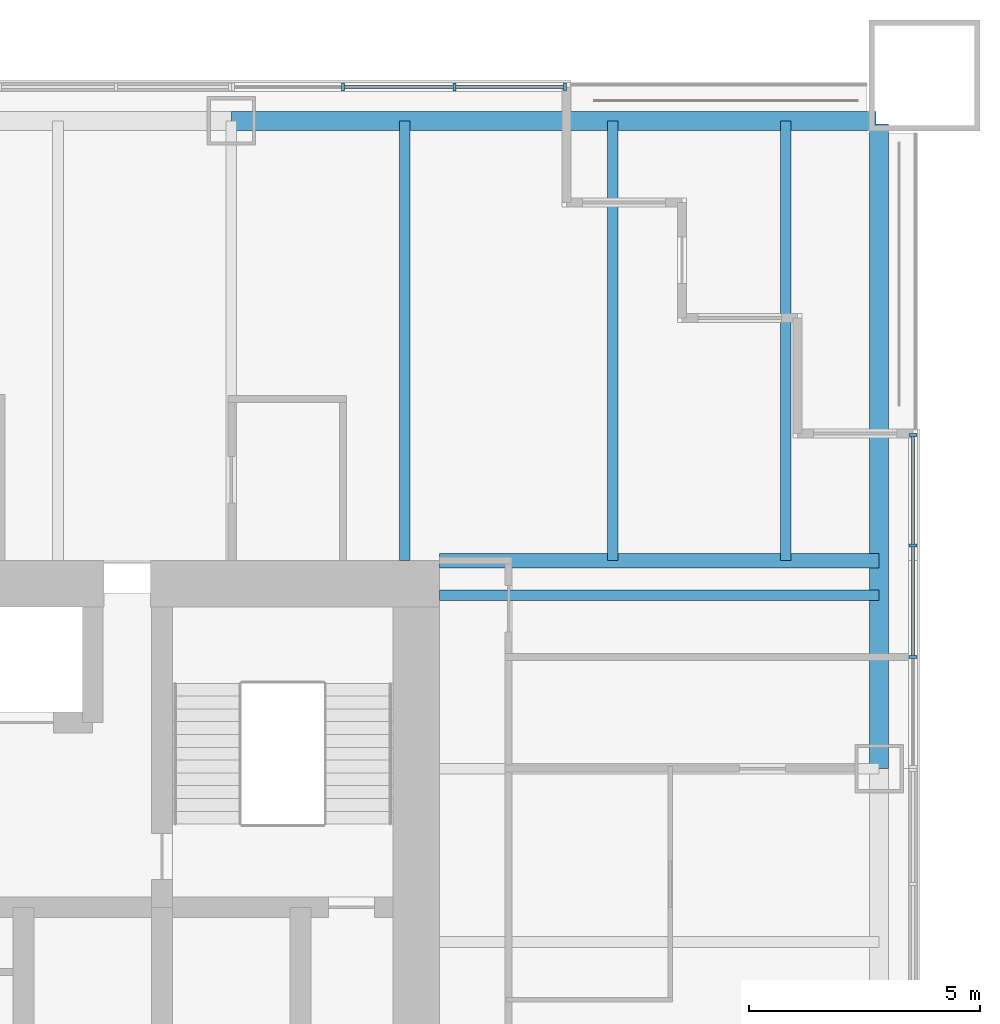
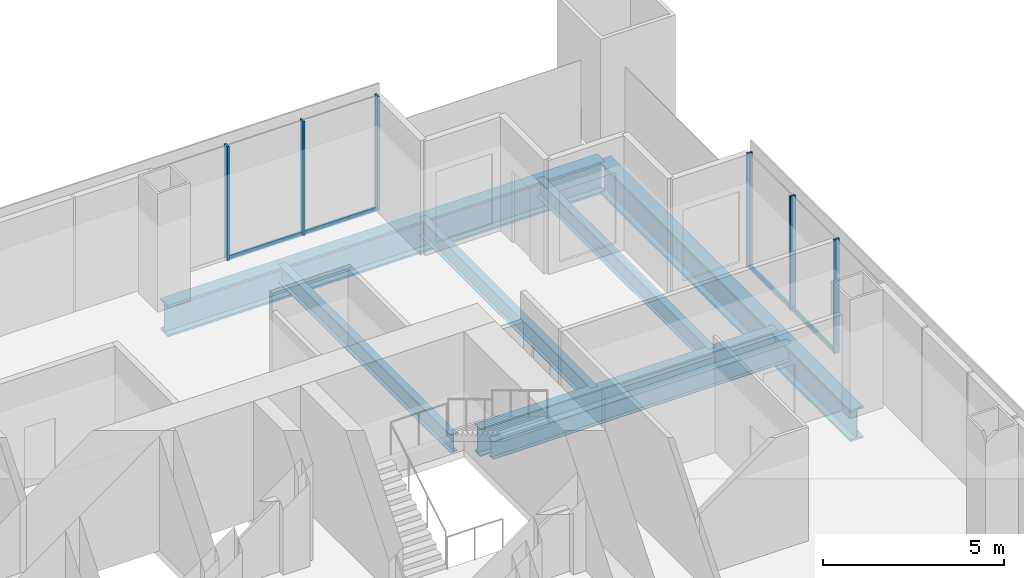
# One storey, part 6 of 13: 10 members, 7 beams, 2 elements without a shape of their own.
"""IFC4 building model written with IfcOpenShell, lengths in metres."""

import ifcopenshell
import ifcopenshell.guid

model = None  # the IFC model being written
_history = None  # IfcOwnerHistory: only IFC2X3 demands one
_inside = {}  # id of a spatial element -> (the spatial element, [elements in it])
_under = {}  # id of a project, library or spatial element -> (it, [spatial elements below it])
_declared = {}  # id of a project -> (the project, [libraries it declares])
_typed = {}  # id of a type object -> (the type object, [elements of that type])
_made_of = {}  # id of a material, layer set ... -> (it, [elements and type objects made of it])


def new_model(schema):
    """Start an empty IFC model of exactly this schema.

    Asked for "IFC4X3", IfcOpenShell would pick the latest addendum, in which some entities
    have other attributes; the version numbers below select the first issue.
    IFC2X3 requires an IfcOwnerHistory on every rooted entity: one is made here for all.
    """
    global model, _history
    if schema == "IFC4X3":
        model = ifcopenshell.file(schema_version=(4, 3, 0, 0))
    else:
        model = ifcopenshell.file(schema=schema)
    _inside.clear()
    _under.clear()
    _declared.clear()
    _typed.clear()
    _made_of.clear()
    _history = None
    if model.schema == "IFC2X3":
        org = make("IfcOrganization", Name="unknown")
        user = make(
            "IfcPersonAndOrganization",
            ThePerson=make("IfcPerson", FamilyName="unknown"),
            TheOrganization=org,
        )
        app = make(
            "IfcApplication",
            ApplicationDeveloper=org,
            Version="unknown",
            ApplicationFullName="unknown",
            ApplicationIdentifier="unknown",
        )
        _history = make(
            "IfcOwnerHistory",
            OwningUser=user,
            OwningApplication=app,
            ChangeAction="ADDED",
            CreationDate=0,
        )
    return model


def make(cls, **values):
    """One entity of the class cls with the attributes given. An attribute that is None is left unset."""
    return model.create_entity(
        cls, **{name: value for name, value in values.items() if value is not None}
    )


def rooted(cls, **values):
    """An entity with a GlobalId (a new one), such as an element, a storey or a relation."""
    return make(cls, GlobalId=ifcopenshell.guid.new(), OwnerHistory=_history, **values)


def si_unit(unit_type, name, prefix=None):
    """IfcSIUnit, for example si_unit("LENGTHUNIT", "METRE", prefix="MILLI")."""
    return make("IfcSIUnit", UnitType=unit_type, Prefix=prefix, Name=name)


def assignment(units):
    """IfcUnitAssignment: the units of a project."""
    return None if units is None else make("IfcUnitAssignment", Units=units)


def point(xyz):
    """IfcCartesianPoint."""
    return None if xyz is None else make("IfcCartesianPoint", Coordinates=xyz)


def direction(xyz):
    """IfcDirection."""
    return None if xyz is None else make("IfcDirection", DirectionRatios=xyz)


def frame(location, z_axis=None, x_axis=None):
    """IfcAxis2Placement3D, a coordinate frame: its origin and axes. An axis left out is left unset."""
    return make(
        "IfcAxis2Placement3D",
        Location=point(location),
        Axis=direction(z_axis),
        RefDirection=direction(x_axis),
    )


def frame_2d(location, x_axis=None):
    """IfcAxis2Placement2D, a coordinate frame in the plane: its origin and x axis."""
    return make(
        "IfcAxis2Placement2D", Location=point(location), RefDirection=direction(x_axis)
    )


def origin():
    """The frame at (0, 0, 0) with its axes left unset."""
    return frame((0.0, 0.0, 0.0))


def origin_2d():
    """The frame at (0, 0) in the plane with its x axis left unset."""
    return frame_2d((0.0, 0.0))


def place(relative_to, where):
    """IfcLocalPlacement: puts the frame where relative to a parent placement (None: the world)."""
    return make(
        "IfcLocalPlacement", PlacementRelTo=relative_to, RelativePlacement=where
    )


def context(
    kind, dimensions, precision=None, world=None, true_north=None, identifier=None
):
    """IfcGeometricRepresentationContext, for example the 3D "Model" context."""
    return make(
        "IfcGeometricRepresentationContext",
        ContextIdentifier=identifier,
        ContextType=kind,
        CoordinateSpaceDimension=dimensions,
        Precision=precision,
        WorldCoordinateSystem=world,
        TrueNorth=true_north,
    )


def subcontext(parent, identifier, kind, view, scale=None):
    """IfcGeometricRepresentationSubContext, for example "Body" below "Model"."""
    return make(
        "IfcGeometricRepresentationSubContext",
        ContextIdentifier=identifier,
        ContextType=kind,
        ParentContext=parent,
        TargetScale=scale,
        TargetView=view,
    )


def project(units=None, contexts=None):
    """IfcProject with its units and contexts."""
    return rooted(
        "IfcProject",
        Name="project",
        RepresentationContexts=contexts,
        UnitsInContext=assignment(units),
    )


def spatial(cls, under=None, at=None, **own):
    """A site, building, storey or space (cls), placed at a placement, below another one or the project."""
    s = rooted(cls, ObjectPlacement=at, **own)
    if under is not None:
        _under.setdefault(under.id(), (under, []))[1].append(s)
    return s


def profile(cls, at=None, kind="AREA", **sizes):
    """A parametric profile (cls). Its sizes go by their IFC names, for example OverallWidth=200.0."""
    return make(cls, ProfileType=kind, Position=at, **sizes)


def rectangle(**sizes):
    """IfcRectangleProfileDef."""
    return profile("IfcRectangleProfileDef", **sizes)


def i_section(**sizes):
    """IfcIShapeProfileDef."""
    return profile("IfcIShapeProfileDef", **sizes)


def extrude(swept, where, along, depth):
    """IfcExtrudedAreaSolid: the profile swept, set in the frame where, extruded along a direction by depth."""
    return make(
        "IfcExtrudedAreaSolid",
        SweptArea=swept,
        Position=where,
        ExtrudedDirection=direction(along),
        Depth=depth,
    )


def shape(context_of_items, identifier, shape_type, items):
    """IfcShapeRepresentation: the items that make up one representation, for example the "Body"."""
    return make(
        "IfcShapeRepresentation",
        ContextOfItems=context_of_items,
        RepresentationIdentifier=identifier,
        RepresentationType=shape_type,
        Items=items,
    )


def material(Name=None, Category=None):
    """IfcMaterial."""
    return make("IfcMaterial", Name=Name, Category=Category)


def material_profile(
    of_material, cross_section, Name=None, Category=None, Priority=None
):
    """IfcMaterialProfile: a cross section and its material."""
    return make(
        "IfcMaterialProfile",
        Name=Name,
        Material=of_material,
        Profile=cross_section,
        Priority=Priority,
        Category=Category,
    )


def profile_set(profiles, Name=None, composite=None):
    """IfcMaterialProfileSet."""
    return make(
        "IfcMaterialProfileSet",
        Name=Name,
        MaterialProfiles=profiles,
        CompositeProfile=composite,
    )


def made_of(thing, what):
    """Note that an element or type object is made of a material, layer set ...; save() writes the relation."""
    if what is not None:
        _made_of.setdefault(what.id(), (what, []))[1].append(thing)
    return thing


def type_object(cls, material=None, **own):
    """A type object (cls), such as IfcWallType, which elements share."""
    return made_of(rooted(cls, **own), material)


def element(
    cls,
    number,
    at=None,
    inside=None,
    cuts=None,
    type_object=None,
    material=None,
    context=None,
    identifier="Body",
    shape_type=None,
    held_by="IfcProductDefinitionShape",
    body=None,
    shapes=None,
    **own,
):
    """One element of the class cls, such as IfcWall. Its Tag is "e" and its number.

    at: its placement. inside: the storey or other place that contains it. cuts: it is an
    opening in that element (IfcRelVoidsElement). A single representation is given by context,
    identifier, shape_type and body (its items); several are given by shapes. held_by: the class
    of the entity that holds the representations. save() writes the other relations.
    """
    e = rooted(cls, Tag="e%d" % number, ObjectPlacement=at, **own)
    if body is not None:
        shapes = [shape(context, identifier, shape_type, body)]
    if shapes is not None:
        e.Representation = make(held_by, Representations=shapes)
    if inside is not None:
        _inside.setdefault(inside.id(), (inside, []))[1].append(e)
    if cuts is not None:
        rooted(
            "IfcRelVoidsElement", RelatingBuildingElement=cuts, RelatedOpeningElement=e
        )
    if type_object is not None:
        _typed.setdefault(type_object.id(), (type_object, []))[1].append(e)
    return made_of(e, material)


def aggregate(whole, parts):
    """IfcRelAggregates: a whole, such as a stair, and the parts it consists of."""
    return rooted("IfcRelAggregates", RelatingObject=whole, RelatedObjects=parts)


def save(model, path):
    """Write the relations noted so far, then the file.

    IfcRelAggregates (storeys below a building ...), IfcRelContainedInSpatialStructure (elements
    in a storey), IfcRelDefinesByType, IfcRelAssociatesMaterial and IfcRelDeclares: one each for
    every whole, place, type object, material and project.
    """
    for whole, parts in _under.values():
        aggregate(whole, parts)
    for where, things in _inside.values():
        rooted(
            "IfcRelContainedInSpatialStructure",
            RelatedElements=things,
            RelatingStructure=where,
        )
    for kind, things in _typed.values():
        rooted("IfcRelDefinesByType", RelatedObjects=things, RelatingType=kind)
    for what, things in _made_of.values():
        rooted("IfcRelAssociatesMaterial", RelatedObjects=things, RelatingMaterial=what)
    for by, libraries in _declared.values():
        rooted("IfcRelDeclares", RelatingContext=by, RelatedDefinitions=libraries)
    model.write(path)


model = new_model("IFC4")

# Units and contexts
model_context = context("Model", 3, precision=1e-05, world=origin(), true_north=direction((0.0, 1.0)))
body_context = subcontext(model_context, "Body", "Model", "MODEL_VIEW")
ifc_project = project(units=[si_unit("LENGTHUNIT", "METRE"), si_unit("AREAUNIT", "SQUARE_METRE"), si_unit("VOLUMEUNIT", "CUBIC_METRE"), si_unit("PLANEANGLEUNIT", "RADIAN"), si_unit("MASSUNIT", "GRAM", prefix="KILO")], contexts=[model_context])

# Site, building, storey
site_placement = place(None, origin())
site = spatial("IfcSite", under=ifc_project, at=site_placement, CompositionType="ELEMENT")
building_placement = place(site_placement, origin())
building = spatial("IfcBuilding", under=site, at=building_placement, Name="Tarangal Relay Tower", CompositionType="ELEMENT")
storey_placement = place(building_placement, frame((0.0, 0.0, 197.89990234375)))
storey = spatial("IfcBuildingStorey", under=building, at=storey_placement, Name="L41", CompositionType="ELEMENT", Elevation=197.89990234375)

# Beams
ifc_material_1 = material(Name="Steel ASTM A992", Category="steel")
ifc_material_profile_1 = material_profile(ifc_material_1, i_section(OverallWidth=0.227783203125, OverallDepth=0.60205078125, WebThickness=0.010498046875, FlangeThickness=0.014892578125, at=origin_2d()), Name="W24X68")
ifc_profile_set_1 = profile_set([ifc_material_profile_1], Name="Steel ASTM A992")
beam_type_1 = type_object("IfcBeamType", Name="Corner beam W24X68", PredefinedType="JOIST", material=ifc_profile_set_1)
for number, where, z_axis, x_axis, name in (
    (1, (15.75, 12.0, -0.450927734375), (0.0, 1.0, 0.0), (-1.0, 0.0, 0.0), "Corner beam CB11 N L41"),
    (2, (19.5, 12.0, -0.450927734375), (0.0, 1.0, 0.0), (-1.0, 0.0, 0.0), "Corner beam CB11 N L41"),
):
    element("IfcBeam", number, at=place(storey_placement, frame(where, z_axis=z_axis, x_axis=x_axis)), inside=storey, type_object=beam_type_1, Name=name, PredefinedType="JOIST", context=body_context, shape_type="SweptSolid", body=[
        extrude(i_section(OverallWidth=0.227783203125, OverallDepth=0.60205078125, WebThickness=0.010498046875, FlangeThickness=0.014892578125, at=origin_2d()), origin(), (0.0, 0.0, 1.0), 9.514892578125),
    ])
ifc_material_profile_2 = material_profile(ifc_material_1, i_section(OverallWidth=0.307373046875, OverallDepth=0.9423828125, WebThickness=0.022216796875, FlangeThickness=0.039794921875, at=origin_2d()), Name="W36X232")
ifc_profile_set_2 = profile_set([ifc_material_profile_2], Name="Steel ASTM A992")
beam_type_2 = type_object("IfcBeamType", Name="Corner girder W36X232", PredefinedType="BEAM", material=ifc_profile_set_2)
beam_placement = place(storey_placement, frame((12.0, 12.0, -0.62109375), z_axis=(1.0, 0.0, 0.0), x_axis=(0.0, 1.0, 0.0)))
element("IfcBeam", 3, at=beam_placement, inside=storey, type_object=beam_type_2, Name="Corner girder CG4 N L41", PredefinedType="BEAM", context=body_context, shape_type="SweptSolid", body=[
    extrude(i_section(OverallWidth=0.307373046875, OverallDepth=0.9423828125, WebThickness=0.022216796875, FlangeThickness=0.039794921875, at=origin_2d()), origin(), (0.0, 0.0, 1.0), 9.514892578125),
])
ifc_material_profile_3 = material_profile(ifc_material_1, i_section(OverallWidth=0.41650390625, OverallDepth=1.0693359375, WebThickness=0.0390625, FlangeThickness=0.070068359375, at=origin_2d()), Name="W40X503")
ifc_profile_set_3 = profile_set([ifc_material_profile_3], Name="Steel ASTM A992")
beam_type_3 = type_object("IfcBeamType", Name="Edge girder W40X503", PredefinedType="SPANDREL", material=ifc_profile_set_3)
for number, where, z_axis, x_axis, name in (
    (4, (7.5, 21.514892578125, -0.6845703125), (1.0, 0.0, 0.0), (0.0, 1.0, 0.0), "Edge girder EG8 N L41"),
    (5, (21.514892578125, 21.449951171875, -0.6845703125), (0.0, -1.0, 0.0), (1.0, 0.0, 0.0), "Edge girder EG8 E L41"),
):
    element("IfcBeam", number, at=place(storey_placement, frame(where, z_axis=z_axis, x_axis=x_axis)), inside=storey, type_object=beam_type_3, Name=name, PredefinedType="SPANDREL", context=body_context, shape_type="SweptSolid", body=[
        extrude(i_section(OverallWidth=0.41650390625, OverallDepth=1.0693359375, WebThickness=0.0390625, FlangeThickness=0.070068359375, at=origin_2d()), origin(), (0.0, 0.0, 1.0), 13.949951171875),
    ])
ifc_material_profile_4 = material_profile(ifc_material_1, i_section(OverallWidth=0.22900390625, OverallDepth=0.612060546875, WebThickness=0.011962890625, FlangeThickness=0.01953125, at=origin_2d()), Name="W24X84")
ifc_profile_set_4 = profile_set([ifc_material_profile_4], Name="Steel ASTM A992")
beam_type_4 = type_object("IfcBeamType", Name="Floor beam W24X84", PredefinedType="BEAM", material=ifc_profile_set_4)
for number, where, z_axis, x_axis, name in (
    (6, (11.25, 12.0, -0.455810546875), (0.0, 1.0, 0.0), (-1.0, 0.0, 0.0), "Floor beam RB12 N L41"),
    (7, (12.0, 11.25, -0.455810546875), (1.0, 0.0, 0.0), (0.0, 1.0, 0.0), "Floor beam RB12 E L41"),
):
    element("IfcBeam", number, at=place(storey_placement, frame(where, z_axis=z_axis, x_axis=x_axis)), inside=storey, type_object=beam_type_4, Name=name, PredefinedType="BEAM", context=body_context, shape_type="SweptSolid", body=[
        extrude(i_section(OverallWidth=0.22900390625, OverallDepth=0.612060546875, WebThickness=0.011962890625, FlangeThickness=0.01953125, at=origin_2d()), origin(), (0.0, 0.0, 1.0), 9.514892578125),
    ])

# Curtain wall, members
ifc_material_2 = material(Name="Unitised curtain wall, dark glass and black aluminium", Category="aluminium")
curtain_wall_type = type_object("IfcCurtainWallType", Name="Curtain wall CW-A", PredefinedType="USERDEFINED", material=ifc_material_2)
curtain_wall_1_placement = place(storey_placement, origin())
curtain_wall_1 = element("IfcCurtainWall", 8, at=curtain_wall_1_placement, inside=storey, type_object=curtain_wall_type, Name="Curtain wall CW-A N facade L41", ObjectType="UNITISED CURTAIN WALL", PredefinedType="USERDEFINED")
ifc_material_3 = material(Name="Black anodised aluminium mullion", Category="aluminium")
ifc_material_profile_5 = material_profile(ifc_material_3, rectangle(XDim=0.175048828125, YDim=0.06494140625, at=origin_2d()), Name="CW-AM 65X175")
ifc_profile_set_5 = profile_set([ifc_material_profile_5], Name="Black anodised aluminium mullion")
member_type_1 = type_object("IfcMemberType", Name="Mullion CW-A 65 x 175", PredefinedType="MULLION", material=ifc_profile_set_5)
member_1_placement = place(storey_placement, frame((9.916748046875, 22.25, 0.0), z_axis=(0.0, 0.0, 1.0), x_axis=(0.0, 1.0, 0.0)))
member_1 = element("IfcMember", 9, at=member_1_placement, type_object=member_type_1, Name="CW-A mullion 2", PredefinedType="MULLION", context=body_context, shape_type="SweptSolid", body=[
    extrude(rectangle(XDim=0.175048828125, YDim=0.06494140625, at=origin_2d()), origin(), (0.0, 0.0, 1.0), 3.85009765625),
])
member_2_placement = place(storey_placement, frame((12.333251953125, 22.25, 0.0), z_axis=(0.0, 0.0, 1.0), x_axis=(0.0, 1.0, 0.0)))
member_2 = element("IfcMember", 10, at=member_2_placement, type_object=member_type_1, Name="CW-A mullion 3", PredefinedType="MULLION", context=body_context, shape_type="SweptSolid", body=[
    extrude(rectangle(XDim=0.175048828125, YDim=0.06494140625, at=origin_2d()), origin(), (0.0, 0.0, 1.0), 3.85009765625),
])
member_3_placement = place(storey_placement, frame((14.717529296875, 22.25, 0.0), z_axis=(0.0, 0.0, 1.0), x_axis=(0.0, 1.0, 0.0)))
member_3 = element("IfcMember", 11, at=member_3_placement, type_object=member_type_1, Name="CW-A mullion 4", PredefinedType="MULLION", context=body_context, shape_type="SweptSolid", body=[
    extrude(rectangle(XDim=0.175048828125, YDim=0.06494140625, at=origin_2d()), origin(), (0.0, 0.0, 1.0), 3.85009765625),
])

curtain_wall_2_placement = place(storey_placement, origin())
curtain_wall_2 = element("IfcCurtainWall", 12, at=curtain_wall_2_placement, inside=storey, type_object=curtain_wall_type, Name="Curtain wall CW-A E facade L41", ObjectType="UNITISED CURTAIN WALL", PredefinedType="USERDEFINED")
member_4_placement = place(storey_placement, frame((22.25, 14.717529296875, 0.0), z_axis=(0.0, 0.0, 1.0), x_axis=(1.0, 0.0, 0.0)))
member_4 = element("IfcMember", 13, at=member_4_placement, type_object=member_type_1, Name="CW-A mullion 1", PredefinedType="MULLION", context=body_context, shape_type="SweptSolid", body=[
    extrude(rectangle(XDim=0.175048828125, YDim=0.06494140625, at=origin_2d()), origin(), (0.0, 0.0, 1.0), 3.85009765625),
])
member_5_placement = place(storey_placement, frame((22.25, 12.333251953125, 0.0), z_axis=(0.0, 0.0, 1.0), x_axis=(1.0, 0.0, 0.0)))
member_5 = element("IfcMember", 14, at=member_5_placement, type_object=member_type_1, Name="CW-A mullion 2", PredefinedType="MULLION", context=body_context, shape_type="SweptSolid", body=[
    extrude(rectangle(XDim=0.175048828125, YDim=0.06494140625, at=origin_2d()), origin(), (0.0, 0.0, 1.0), 3.85009765625),
])
member_6_placement = place(storey_placement, frame((22.25, 9.916748046875, 0.0), z_axis=(0.0, 0.0, 1.0), x_axis=(1.0, 0.0, 0.0)))
member_6 = element("IfcMember", 15, at=member_6_placement, type_object=member_type_1, Name="CW-A mullion 3", PredefinedType="MULLION", context=body_context, shape_type="SweptSolid", body=[
    extrude(rectangle(XDim=0.175048828125, YDim=0.06494140625, at=origin_2d()), origin(), (0.0, 0.0, 1.0), 3.85009765625),
])

# Member
ifc_material_4 = material(Name="Black anodised aluminium transom", Category="aluminium")
ifc_material_profile_6 = material_profile(ifc_material_4, rectangle(XDim=0.06494140625, YDim=0.14990234375, at=origin_2d()), Name="CW-AT 65X150")
ifc_profile_set_6 = profile_set([ifc_material_profile_6], Name="Black anodised aluminium transom")
member_type_2 = type_object("IfcMemberType", Name="Transom CW-A 65 x 150", PredefinedType="USERDEFINED", material=ifc_profile_set_6)
member_7_placement = place(storey_placement, frame((9.94921875, 22.25, 0.03271484375), z_axis=(1.0, 0.0, 0.0), x_axis=(0.0, 1.0, 0.0)))
member_7 = element("IfcMember", 16, at=member_7_placement, type_object=member_type_2, Name="CW-A transom 2.1", ObjectType="TRANSOM", PredefinedType="USERDEFINED", context=body_context, shape_type="SweptSolid", body=[
    extrude(rectangle(XDim=0.06494140625, YDim=0.14990234375, at=origin_2d()), origin(), (0.0, 0.0, 1.0), 2.3515625),
])

member_8_placement = place(storey_placement, frame((12.36572265625, 22.25, 0.03271484375), z_axis=(1.0, 0.0, 0.0), x_axis=(0.0, 1.0, 0.0)))
member_8 = element("IfcMember", 17, at=member_8_placement, type_object=member_type_2, Name="CW-A transom 3.1", ObjectType="TRANSOM", PredefinedType="USERDEFINED", context=body_context, shape_type="SweptSolid", body=[
    extrude(rectangle(XDim=0.06494140625, YDim=0.14990234375, at=origin_2d()), origin(), (0.0, 0.0, 1.0), 2.3193359375),
])

aggregate(curtain_wall_1, [member_1, member_2, member_3, member_7, member_8])

member_9_placement = place(storey_placement, frame((22.25, 14.68505859375, 0.03271484375), z_axis=(0.0, -1.0, 0.0), x_axis=(1.0, 0.0, 0.0)))
member_9 = element("IfcMember", 18, at=member_9_placement, type_object=member_type_2, Name="CW-A transom 1.1", ObjectType="TRANSOM", PredefinedType="USERDEFINED", context=body_context, shape_type="SweptSolid", body=[
    extrude(rectangle(XDim=0.06494140625, YDim=0.14990234375, at=origin_2d()), origin(), (0.0, 0.0, 1.0), 2.3193359375),
])

member_10_placement = place(storey_placement, frame((22.25, 12.30078125, 0.03271484375), z_axis=(0.0, -1.0, 0.0), x_axis=(1.0, 0.0, 0.0)))
member_10 = element("IfcMember", 19, at=member_10_placement, type_object=member_type_2, Name="CW-A transom 2.1", ObjectType="TRANSOM", PredefinedType="USERDEFINED", context=body_context, shape_type="SweptSolid", body=[
    extrude(rectangle(XDim=0.06494140625, YDim=0.14990234375, at=origin_2d()), origin(), (0.0, 0.0, 1.0), 2.3515625),
])

aggregate(curtain_wall_2, [member_4, member_5, member_6, member_9, member_10])

save(model, "model.ifc")
